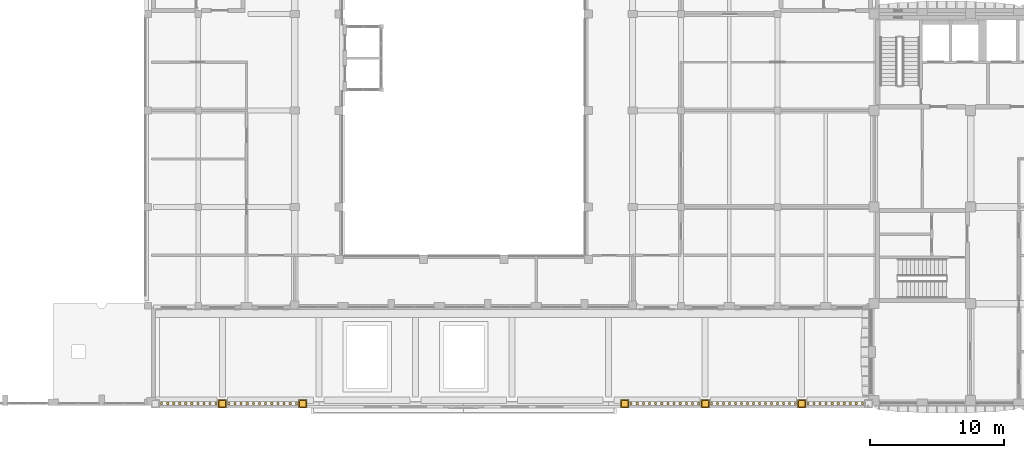
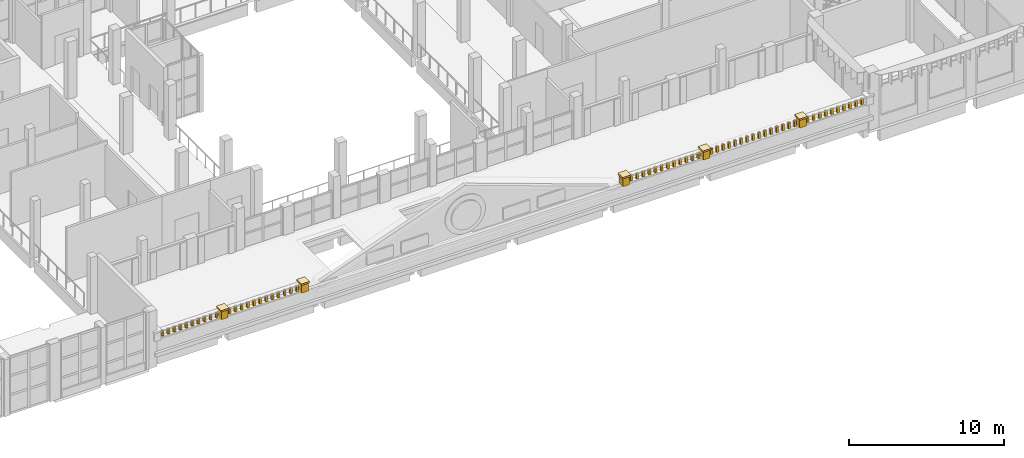
# One storey, part 55 of 58: 69 coverings.
"""IFC4 building model written with IfcOpenShell, lengths in metres."""

from ifc_helpers import new_model, si_unit, direction, frame, origin, origin_2d, place, context, subcontext, project, spatial, rectangle, extrude, material, type_object, element, save


model = new_model("IFC4")

# Units and contexts
model_context = context("Model", 3, precision=1e-05, world=origin(), true_north=direction((0.0, 1.0)))
body_context = subcontext(model_context, "Body", "Model", "MODEL_VIEW")
ifc_project = project(units=[si_unit("LENGTHUNIT", "METRE"), si_unit("AREAUNIT", "SQUARE_METRE"), si_unit("VOLUMEUNIT", "CUBIC_METRE"), si_unit("PLANEANGLEUNIT", "RADIAN"), si_unit("MASSUNIT", "GRAM", prefix="KILO")], contexts=[model_context])

# Site, building, storey
site_placement = place(None, origin())
site = spatial("IfcSite", under=ifc_project, at=site_placement, CompositionType="ELEMENT")
building_placement = place(site_placement, origin())
building = spatial("IfcBuilding", under=site, at=building_placement, Name="Ussher Court Research Institute", CompositionType="ELEMENT")
storey_placement = place(building_placement, frame((0.0, 0.0, 9.89990234375)))
storey = spatial("IfcBuildingStorey", under=building, at=storey_placement, Name="L02", CompositionType="ELEMENT", Elevation=9.89990234375)

# Coverings
ifc_material_1 = material(Name="Limestone cornice", Category="masonry")
covering_type_1 = type_object("IfcCoveringType", Name="Baluster 160x450", PredefinedType="CLADDING", material=ifc_material_1)
for number, where, z_axis, x_axis, name in (
    (1, (29.074951171875, 3.739990234375, 2.2001953125), (0.0, 0.0, 1.0), (1.0, 0.0, 0.0), "Baluster CC28"),
    (2, (29.52490234375, 3.739990234375, 2.2001953125), (0.0, 0.0, 1.0), (1.0, 0.0, 0.0), "Baluster CC28"),
    (3, (29.97509765625, 3.739990234375, 2.2001953125), (0.0, 0.0, 1.0), (1.0, 0.0, 0.0), "Baluster CC28"),
    (4, (30.425048828125, 3.739990234375, 2.2001953125), (0.0, 0.0, 1.0), (1.0, 0.0, 0.0), "Baluster CC28"),
    (5, (30.875, 3.739990234375, 2.2001953125), (0.0, 0.0, 1.0), (1.0, 0.0, 0.0), "Baluster CC28"),
    (6, (31.324951171875, 3.739990234375, 2.2001953125), (0.0, 0.0, 1.0), (1.0, 0.0, 0.0), "Baluster CC28"),
    (7, (31.77490234375, 3.739990234375, 2.2001953125), (0.0, 0.0, 1.0), (1.0, 0.0, 0.0), "Baluster CC28"),
    (8, (32.22509765625, 3.739990234375, 2.2001953125), (0.0, 0.0, 1.0), (1.0, 0.0, 0.0), "Baluster CC28"),
    (9, (32.675048828125, 3.739990234375, 2.2001953125), (0.0, 0.0, 1.0), (1.0, 0.0, 0.0), "Baluster CC28"),
    (10, (33.125, 3.739990234375, 2.2001953125), (0.0, 0.0, 1.0), (1.0, 0.0, 0.0), "Baluster CC28"),
    (11, (34.0791015625, 3.739990234375, 2.2001953125), (0.0, 0.0, 1.0), (1.0, 0.0, 0.0), "Baluster CC28"),
    (12, (34.53759765625, 3.739990234375, 2.2001953125), (0.0, 0.0, 1.0), (1.0, 0.0, 0.0), "Baluster CC28"),
    (13, (34.995849609375, 3.739990234375, 2.2001953125), (0.0, 0.0, 1.0), (1.0, 0.0, 0.0), "Baluster CC28"),
    (14, (35.4541015625, 3.739990234375, 2.2001953125), (0.0, 0.0, 1.0), (1.0, 0.0, 0.0), "Baluster CC28"),
    (15, (35.91259765625, 3.739990234375, 2.2001953125), (0.0, 0.0, 1.0), (1.0, 0.0, 0.0), "Baluster CC28"),
    (16, (36.370849609375, 3.739990234375, 2.2001953125), (0.0, 0.0, 1.0), (1.0, 0.0, 0.0), "Baluster CC28"),
    (17, (36.8291015625, 3.739990234375, 2.2001953125), (0.0, 0.0, 1.0), (1.0, 0.0, 0.0), "Baluster CC28"),
    (18, (37.28759765625, 3.739990234375, 2.2001953125), (0.0, 0.0, 1.0), (1.0, 0.0, 0.0), "Baluster CC28"),
    (19, (37.745849609375, 3.739990234375, 2.2001953125), (0.0, 0.0, 1.0), (1.0, 0.0, 0.0), "Baluster CC28"),
    (20, (38.2041015625, 3.739990234375, 2.2001953125), (0.0, 0.0, 1.0), (1.0, 0.0, 0.0), "Baluster CC28"),
    (21, (38.66259765625, 3.739990234375, 2.2001953125), (0.0, 0.0, 1.0), (1.0, 0.0, 0.0), "Baluster CC28"),
    (22, (39.120849609375, 3.739990234375, 2.2001953125), (0.0, 0.0, 1.0), (1.0, 0.0, 0.0), "Baluster CC28"),
    (23, (64.0791015625, 3.739990234375, 2.2001953125), (0.0, 0.0, 1.0), (1.0, 0.0, 0.0), "Baluster CC28"),
    (24, (64.53759765625, 3.739990234375, 2.2001953125), (0.0, 0.0, 1.0), (1.0, 0.0, 0.0), "Baluster CC28"),
    (25, (64.995849609375, 3.739990234375, 2.2001953125), (0.0, 0.0, 1.0), (1.0, 0.0, 0.0), "Baluster CC28"),
    (26, (65.4541015625, 3.739990234375, 2.2001953125), (0.0, 0.0, 1.0), (1.0, 0.0, 0.0), "Baluster CC28"),
    (27, (65.91259765625, 3.739990234375, 2.2001953125), (0.0, 0.0, 1.0), (1.0, 0.0, 0.0), "Baluster CC28"),
    (28, (66.370849609375, 3.739990234375, 2.2001953125), (0.0, 0.0, 1.0), (1.0, 0.0, 0.0), "Baluster CC28"),
    (29, (66.8291015625, 3.739990234375, 2.2001953125), (0.0, 0.0, 1.0), (1.0, 0.0, 0.0), "Baluster CC28"),
    (30, (67.28759765625, 3.739990234375, 2.2001953125), (0.0, 0.0, 1.0), (1.0, 0.0, 0.0), "Baluster CC28"),
    (31, (67.745849609375, 3.739990234375, 2.2001953125), (0.0, 0.0, 1.0), (1.0, 0.0, 0.0), "Baluster CC28"),
    (32, (68.2041015625, 3.739990234375, 2.2001953125), (0.0, 0.0, 1.0), (1.0, 0.0, 0.0), "Baluster CC28"),
    (33, (68.66259765625, 3.739990234375, 2.2001953125), (0.0, 0.0, 1.0), (1.0, 0.0, 0.0), "Baluster CC28"),
    (34, (69.120849609375, 3.739990234375, 2.2001953125), (0.0, 0.0, 1.0), (1.0, 0.0, 0.0), "Baluster CC28"),
    (35, (70.0732421875, 3.739990234375, 2.2001953125), (0.0, 0.0, 1.0), (1.0, 0.0, 0.0), "Baluster CC28"),
    (36, (70.52001953125, 3.739990234375, 2.2001953125), (0.0, 0.0, 1.0), (1.0, 0.0, 0.0), "Baluster CC28"),
    (37, (70.966796875, 3.739990234375, 2.2001953125), (0.0, 0.0, 1.0), (1.0, 0.0, 0.0), "Baluster CC28"),
    (38, (71.413330078125, 3.739990234375, 2.2001953125), (0.0, 0.0, 1.0), (1.0, 0.0, 0.0), "Baluster CC28"),
    (39, (71.860107421875, 3.739990234375, 2.2001953125), (0.0, 0.0, 1.0), (1.0, 0.0, 0.0), "Baluster CC28"),
    (40, (72.306640625, 3.739990234375, 2.2001953125), (0.0, 0.0, 1.0), (1.0, 0.0, 0.0), "Baluster CC28"),
    (41, (72.75341796875, 3.739990234375, 2.2001953125), (0.0, 0.0, 1.0), (1.0, 0.0, 0.0), "Baluster CC28"),
    (42, (73.199951171875, 3.739990234375, 2.2001953125), (0.0, 0.0, 1.0), (1.0, 0.0, 0.0), "Baluster CC28"),
    (43, (73.646728515625, 3.739990234375, 2.2001953125), (0.0, 0.0, 1.0), (1.0, 0.0, 0.0), "Baluster CC28"),
    (44, (74.09326171875, 3.739990234375, 2.2001953125), (0.0, 0.0, 1.0), (1.0, 0.0, 0.0), "Baluster CC28"),
    (45, (74.5400390625, 3.739990234375, 2.2001953125), (0.0, 0.0, 1.0), (1.0, 0.0, 0.0), "Baluster CC28"),
    (46, (74.98681640625, 3.739990234375, 2.2001953125), (0.0, 0.0, 1.0), (1.0, 0.0, 0.0), "Baluster CC28"),
    (47, (75.433349609375, 3.739990234375, 2.2001953125), (0.0, 0.0, 1.0), (1.0, 0.0, 0.0), "Baluster CC28"),
    (48, (75.8798828125, 3.739990234375, 2.2001953125), (0.0, 0.0, 1.0), (1.0, 0.0, 0.0), "Baluster CC28"),
    (49, (76.32666015625, 3.739990234375, 2.2001953125), (0.0, 0.0, 1.0), (1.0, 0.0, 0.0), "Baluster CC28"),
    (50, (77.27490234375, 3.739990234375, 2.2001953125), (0.0, 0.0, 1.0), (1.0, 0.0, 0.0), "Baluster CC28"),
    (51, (77.72509765625, 3.739990234375, 2.2001953125), (0.0, 0.0, 1.0), (1.0, 0.0, 0.0), "Baluster CC28"),
    (52, (78.175048828125, 3.739990234375, 2.2001953125), (0.0, 0.0, 1.0), (1.0, 0.0, 0.0), "Baluster CC28"),
    (53, (78.625, 3.739990234375, 2.2001953125), (0.0, 0.0, 1.0), (1.0, 0.0, 0.0), "Baluster CC28"),
    (54, (79.074951171875, 3.739990234375, 2.2001953125), (0.0, 0.0, 1.0), (1.0, 0.0, 0.0), "Baluster CC28"),
    (55, (79.52490234375, 3.739990234375, 2.2001953125), (0.0, 0.0, 1.0), (1.0, 0.0, 0.0), "Baluster CC28"),
    (56, (79.97509765625, 3.739990234375, 2.2001953125), (0.0, 0.0, 1.0), (1.0, 0.0, 0.0), "Baluster CC28"),
    (57, (80.425048828125, 3.739990234375, 2.2001953125), (0.0, 0.0, 1.0), (1.0, 0.0, 0.0), "Baluster CC28"),
    (58, (80.875, 3.739990234375, 2.2001953125), (0.0, 0.0, 1.0), (1.0, 0.0, 0.0), "Baluster CC28"),
    (59, (81.324951171875, 3.739990234375, 2.2001953125), (0.0, 0.0, 1.0), (1.0, 0.0, 0.0), "Baluster CC28"),
):
    element("IfcCovering", number, at=place(storey_placement, frame(where, z_axis=z_axis, x_axis=x_axis)), inside=storey, type_object=covering_type_1, Name=name, PredefinedType="CLADDING", context=body_context, shape_type="SweptSolid", body=[
        extrude(rectangle(XDim=0.159912109375, YDim=0.159912109375, at=origin_2d()), origin(), (0.0, 0.0, 1.0), 0.449951171875),
    ])
ifc_material_2 = material(Name="Limestone cornice", Category="masonry")
covering_type_2 = type_object("IfcCoveringType", Name="Balustrade pier 500x650", PredefinedType="CLADDING", material=ifc_material_2)
for number, where, z_axis, x_axis, name in (
    (60, (33.60009765625, 3.739990234375, 2.10009765625), (0.0, 0.0, 1.0), (1.0, 0.0, 0.0), "Balustrade pier CC31"),
    (61, (39.60009765625, 3.739990234375, 2.10009765625), (0.0, 0.0, 1.0), (1.0, 0.0, 0.0), "Balustrade pier CC31"),
    (62, (63.60009765625, 3.739990234375, 2.10009765625), (0.0, 0.0, 1.0), (1.0, 0.0, 0.0), "Balustrade pier CC31"),
    (63, (69.60009765625, 3.739990234375, 2.10009765625), (0.0, 0.0, 1.0), (1.0, 0.0, 0.0), "Balustrade pier CC31"),
    (64, (76.800048828125, 3.739990234375, 2.10009765625), (0.0, 0.0, 1.0), (1.0, 0.0, 0.0), "Balustrade pier CC31"),
):
    element("IfcCovering", number, at=place(storey_placement, frame(where, z_axis=z_axis, x_axis=x_axis)), inside=storey, type_object=covering_type_2, Name=name, PredefinedType="CLADDING", context=body_context, shape_type="SweptSolid", body=[
        extrude(rectangle(XDim=0.5, YDim=0.5, at=origin_2d()), origin(), (0.0, 0.0, 1.0), 0.64990234375),
    ])
ifc_material_3 = material(Name="Limestone cornice", Category="masonry")
covering_type_3 = type_object("IfcCoveringType", Name="Balustrade pier cap 620x120", PredefinedType="CLADDING", material=ifc_material_3)
for number, where, z_axis, x_axis, name in (
    (65, (33.60009765625, 3.739990234375, 2.75), (0.0, 0.0, 1.0), (1.0, 0.0, 0.0), "Balustrade pier cap CC32"),
    (66, (39.60009765625, 3.739990234375, 2.75), (0.0, 0.0, 1.0), (1.0, 0.0, 0.0), "Balustrade pier cap CC32"),
    (67, (63.60009765625, 3.739990234375, 2.75), (0.0, 0.0, 1.0), (1.0, 0.0, 0.0), "Balustrade pier cap CC32"),
    (68, (69.60009765625, 3.739990234375, 2.75), (0.0, 0.0, 1.0), (1.0, 0.0, 0.0), "Balustrade pier cap CC32"),
    (69, (76.800048828125, 3.739990234375, 2.75), (0.0, 0.0, 1.0), (1.0, 0.0, 0.0), "Balustrade pier cap CC32"),
):
    element("IfcCovering", number, at=place(storey_placement, frame(where, z_axis=z_axis, x_axis=x_axis)), inside=storey, type_object=covering_type_3, Name=name, PredefinedType="CLADDING", context=body_context, shape_type="SweptSolid", body=[
        extrude(rectangle(XDim=0.6201171875, YDim=0.6201171875, at=origin_2d()), origin(), (0.0, 0.0, 1.0), 0.1201171875),
    ])

save(model, "model.ifc")
